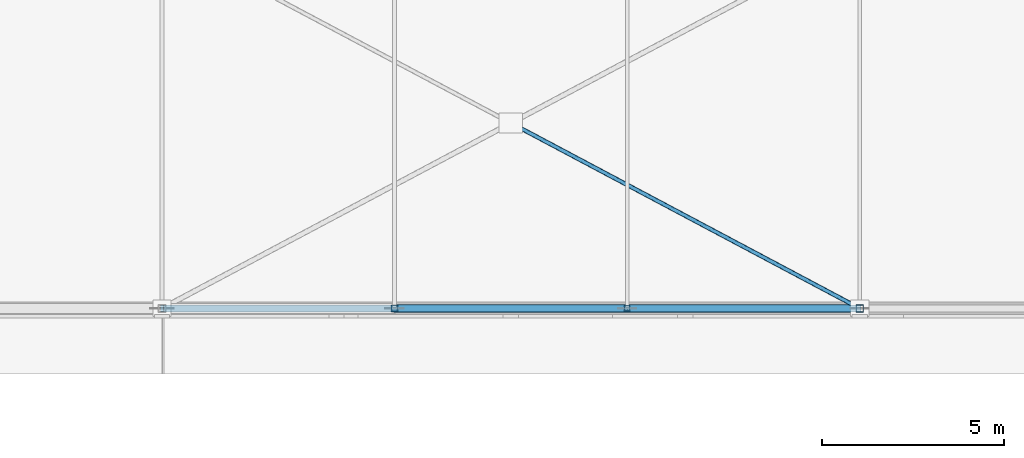
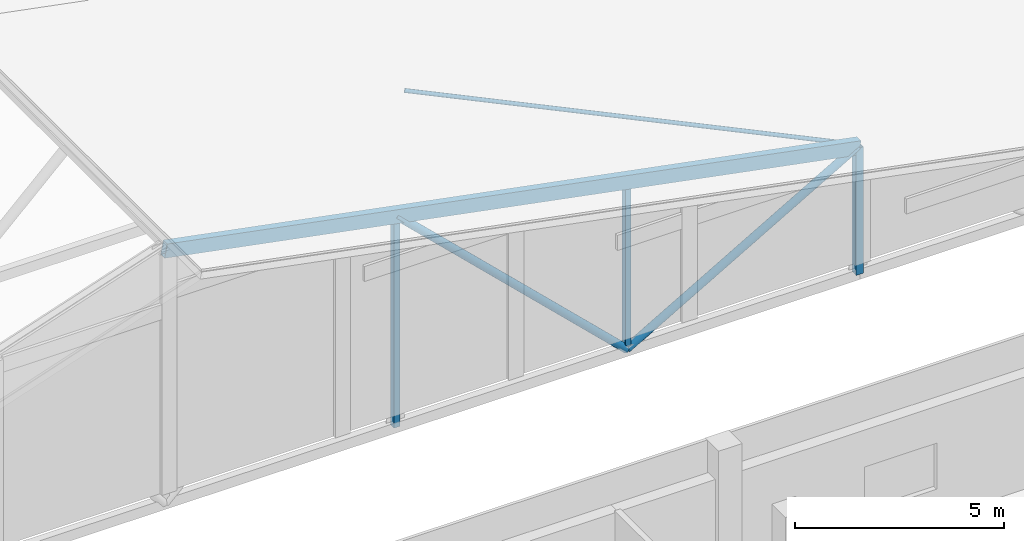
# One storey, part 22 of 200: 7 members.
"""IFC4 building model written with IfcOpenShell, lengths in metres."""

import ifcopenshell
import ifcopenshell.guid

model = None  # the IFC model being written
_history = None  # IfcOwnerHistory: only IFC2X3 demands one
_inside = {}  # id of a spatial element -> (the spatial element, [elements in it])
_under = {}  # id of a project, library or spatial element -> (it, [spatial elements below it])
_declared = {}  # id of a project -> (the project, [libraries it declares])
_typed = {}  # id of a type object -> (the type object, [elements of that type])
_made_of = {}  # id of a material, layer set ... -> (it, [elements and type objects made of it])


def new_model(schema):
    """Start an empty IFC model of exactly this schema.

    Asked for "IFC4X3", IfcOpenShell would pick the latest addendum, in which some entities
    have other attributes; the version numbers below select the first issue.
    IFC2X3 requires an IfcOwnerHistory on every rooted entity: one is made here for all.
    """
    global model, _history
    if schema == "IFC4X3":
        model = ifcopenshell.file(schema_version=(4, 3, 0, 0))
    else:
        model = ifcopenshell.file(schema=schema)
    _inside.clear()
    _under.clear()
    _declared.clear()
    _typed.clear()
    _made_of.clear()
    _history = None
    if model.schema == "IFC2X3":
        org = make("IfcOrganization", Name="unknown")
        user = make(
            "IfcPersonAndOrganization",
            ThePerson=make("IfcPerson", FamilyName="unknown"),
            TheOrganization=org,
        )
        app = make(
            "IfcApplication",
            ApplicationDeveloper=org,
            Version="unknown",
            ApplicationFullName="unknown",
            ApplicationIdentifier="unknown",
        )
        _history = make(
            "IfcOwnerHistory",
            OwningUser=user,
            OwningApplication=app,
            ChangeAction="ADDED",
            CreationDate=0,
        )
    return model


def make(cls, **values):
    """One entity of the class cls with the attributes given. An attribute that is None is left unset."""
    return model.create_entity(
        cls, **{name: value for name, value in values.items() if value is not None}
    )


def rooted(cls, **values):
    """An entity with a GlobalId (a new one), such as an element, a storey or a relation."""
    return make(cls, GlobalId=ifcopenshell.guid.new(), OwnerHistory=_history, **values)


def si_unit(unit_type, name, prefix=None):
    """IfcSIUnit, for example si_unit("LENGTHUNIT", "METRE", prefix="MILLI")."""
    return make("IfcSIUnit", UnitType=unit_type, Prefix=prefix, Name=name)


def assignment(units):
    """IfcUnitAssignment: the units of a project."""
    return None if units is None else make("IfcUnitAssignment", Units=units)


def point(xyz):
    """IfcCartesianPoint."""
    return None if xyz is None else make("IfcCartesianPoint", Coordinates=xyz)


def direction(xyz):
    """IfcDirection."""
    return None if xyz is None else make("IfcDirection", DirectionRatios=xyz)


def frame(location, z_axis=None, x_axis=None):
    """IfcAxis2Placement3D, a coordinate frame: its origin and axes. An axis left out is left unset."""
    return make(
        "IfcAxis2Placement3D",
        Location=point(location),
        Axis=direction(z_axis),
        RefDirection=direction(x_axis),
    )


def frame_2d(location, x_axis=None):
    """IfcAxis2Placement2D, a coordinate frame in the plane: its origin and x axis."""
    return make(
        "IfcAxis2Placement2D", Location=point(location), RefDirection=direction(x_axis)
    )


def origin():
    """The frame at (0, 0, 0) with its axes left unset."""
    return frame((0.0, 0.0, 0.0))


def origin_2d():
    """The frame at (0, 0) in the plane with its x axis left unset."""
    return frame_2d((0.0, 0.0))


def place(relative_to, where):
    """IfcLocalPlacement: puts the frame where relative to a parent placement (None: the world)."""
    return make(
        "IfcLocalPlacement", PlacementRelTo=relative_to, RelativePlacement=where
    )


def context(
    kind, dimensions, precision=None, world=None, true_north=None, identifier=None
):
    """IfcGeometricRepresentationContext, for example the 3D "Model" context."""
    return make(
        "IfcGeometricRepresentationContext",
        ContextIdentifier=identifier,
        ContextType=kind,
        CoordinateSpaceDimension=dimensions,
        Precision=precision,
        WorldCoordinateSystem=world,
        TrueNorth=true_north,
    )


def subcontext(parent, identifier, kind, view, scale=None):
    """IfcGeometricRepresentationSubContext, for example "Body" below "Model"."""
    return make(
        "IfcGeometricRepresentationSubContext",
        ContextIdentifier=identifier,
        ContextType=kind,
        ParentContext=parent,
        TargetScale=scale,
        TargetView=view,
    )


def project(units=None, contexts=None):
    """IfcProject with its units and contexts."""
    return rooted(
        "IfcProject",
        Name="project",
        RepresentationContexts=contexts,
        UnitsInContext=assignment(units),
    )


def spatial(cls, under=None, at=None, **own):
    """A site, building, storey or space (cls), placed at a placement, below another one or the project."""
    s = rooted(cls, ObjectPlacement=at, **own)
    if under is not None:
        _under.setdefault(under.id(), (under, []))[1].append(s)
    return s


def profile(cls, at=None, kind="AREA", **sizes):
    """A parametric profile (cls). Its sizes go by their IFC names, for example OverallWidth=200.0."""
    return make(cls, ProfileType=kind, Position=at, **sizes)


def hollow_rectangle(**sizes):
    """IfcRectangleHollowProfileDef."""
    return profile("IfcRectangleHollowProfileDef", **sizes)


def hollow_circle(**sizes):
    """IfcCircleHollowProfileDef."""
    return profile("IfcCircleHollowProfileDef", **sizes)


def extrude(swept, where, along, depth):
    """IfcExtrudedAreaSolid: the profile swept, set in the frame where, extruded along a direction by depth."""
    return make(
        "IfcExtrudedAreaSolid",
        SweptArea=swept,
        Position=where,
        ExtrudedDirection=direction(along),
        Depth=depth,
    )


def shape(context_of_items, identifier, shape_type, items):
    """IfcShapeRepresentation: the items that make up one representation, for example the "Body"."""
    return make(
        "IfcShapeRepresentation",
        ContextOfItems=context_of_items,
        RepresentationIdentifier=identifier,
        RepresentationType=shape_type,
        Items=items,
    )


def material(Name=None, Category=None):
    """IfcMaterial."""
    return make("IfcMaterial", Name=Name, Category=Category)


def material_profile(
    of_material, cross_section, Name=None, Category=None, Priority=None
):
    """IfcMaterialProfile: a cross section and its material."""
    return make(
        "IfcMaterialProfile",
        Name=Name,
        Material=of_material,
        Profile=cross_section,
        Priority=Priority,
        Category=Category,
    )


def profile_set(profiles, Name=None, composite=None):
    """IfcMaterialProfileSet."""
    return make(
        "IfcMaterialProfileSet",
        Name=Name,
        MaterialProfiles=profiles,
        CompositeProfile=composite,
    )


def made_of(thing, what):
    """Note that an element or type object is made of a material, layer set ...; save() writes the relation."""
    if what is not None:
        _made_of.setdefault(what.id(), (what, []))[1].append(thing)
    return thing


def type_object(cls, material=None, **own):
    """A type object (cls), such as IfcWallType, which elements share."""
    return made_of(rooted(cls, **own), material)


def element(
    cls,
    number,
    at=None,
    inside=None,
    cuts=None,
    type_object=None,
    material=None,
    context=None,
    identifier="Body",
    shape_type=None,
    held_by="IfcProductDefinitionShape",
    body=None,
    shapes=None,
    **own,
):
    """One element of the class cls, such as IfcWall. Its Tag is "e" and its number.

    at: its placement. inside: the storey or other place that contains it. cuts: it is an
    opening in that element (IfcRelVoidsElement). A single representation is given by context,
    identifier, shape_type and body (its items); several are given by shapes. held_by: the class
    of the entity that holds the representations. save() writes the other relations.
    """
    e = rooted(cls, Tag="e%d" % number, ObjectPlacement=at, **own)
    if body is not None:
        shapes = [shape(context, identifier, shape_type, body)]
    if shapes is not None:
        e.Representation = make(held_by, Representations=shapes)
    if inside is not None:
        _inside.setdefault(inside.id(), (inside, []))[1].append(e)
    if cuts is not None:
        rooted(
            "IfcRelVoidsElement", RelatingBuildingElement=cuts, RelatedOpeningElement=e
        )
    if type_object is not None:
        _typed.setdefault(type_object.id(), (type_object, []))[1].append(e)
    return made_of(e, material)


def aggregate(whole, parts):
    """IfcRelAggregates: a whole, such as a stair, and the parts it consists of."""
    return rooted("IfcRelAggregates", RelatingObject=whole, RelatedObjects=parts)


def save(model, path):
    """Write the relations noted so far, then the file.

    IfcRelAggregates (storeys below a building ...), IfcRelContainedInSpatialStructure (elements
    in a storey), IfcRelDefinesByType, IfcRelAssociatesMaterial and IfcRelDeclares: one each for
    every whole, place, type object, material and project.
    """
    for whole, parts in _under.values():
        aggregate(whole, parts)
    for where, things in _inside.values():
        rooted(
            "IfcRelContainedInSpatialStructure",
            RelatedElements=things,
            RelatingStructure=where,
        )
    for kind, things in _typed.values():
        rooted("IfcRelDefinesByType", RelatedObjects=things, RelatingType=kind)
    for what, things in _made_of.values():
        rooted("IfcRelAssociatesMaterial", RelatedObjects=things, RelatingMaterial=what)
    for by, libraries in _declared.values():
        rooted("IfcRelDeclares", RelatingContext=by, RelatedDefinitions=libraries)
    model.write(path)


model = new_model("IFC4")

# Units and contexts
model_context = context("Model", 3, precision=1e-05, world=origin(), true_north=direction((0.0, 1.0)))
body_context = subcontext(model_context, "Body", "Model", "MODEL_VIEW")
ifc_project = project(units=[si_unit("LENGTHUNIT", "METRE"), si_unit("AREAUNIT", "SQUARE_METRE"), si_unit("VOLUMEUNIT", "CUBIC_METRE"), si_unit("PLANEANGLEUNIT", "RADIAN"), si_unit("MASSUNIT", "GRAM", prefix="KILO")], contexts=[model_context])

# Site, building, storey
site_placement = place(None, origin())
site = spatial("IfcSite", under=ifc_project, at=site_placement, CompositionType="ELEMENT")
building_placement = place(site_placement, origin())
building = spatial("IfcBuilding", under=site, at=building_placement, Name="Vondelvale Polytechnic", CompositionType="ELEMENT")
storey_placement = place(building_placement, frame((0.0, 0.0, 13.800048828125)))
storey = spatial("IfcBuildingStorey", under=building, at=storey_placement, Name="L03", CompositionType="ELEMENT", Elevation=13.800048828125)

# Members
ifc_material = material(Name="Steel C350L0 (fy = 350 MPa)", Category="steel")
ifc_material_profile_1 = material_profile(ifc_material, hollow_circle(Radius=0.05712890625, WallThickness=0.0048828125, at=origin_2d()), Name="114.3x4.8CHS")
ifc_profile_set_1 = profile_set([ifc_material_profile_1], Name="Steel C350L0 (fy = 350 MPa)")
member_type_1 = type_object("IfcMemberType", Name="ROOF BRACE 114CHS", PredefinedType="BRACE", material=ifc_profile_set_1)
member_1_placement = place(storey_placement, frame((28.800048828125, 51.0, 3.320068359375), z_axis=(-0.870598866697, 0.462509799229, 0.167756665809), x_axis=(-0.469158510068, -0.883113974768, 0.0)))
element("IfcMember", 1, at=member_1_placement, inside=storey, type_object=member_type_1, Name="Workshop split roof wind brace 1B1", PredefinedType="BRACE", context=body_context, shape_type="SweptSolid", body=[
    extrude(hollow_circle(Radius=0.05712890625, WallThickness=0.0048828125, at=origin_2d()), origin(), (0.0, 0.0, 1.0), 11.027099609375),
])
ifc_material_profile_2 = material_profile(ifc_material, hollow_circle(Radius=0.109619140625, WallThickness=0.00830078125, at=origin_2d()), Name="219.1x8.2CHS")
ifc_profile_set_2 = profile_set([ifc_material_profile_2], Name="Steel C350L0 (fy = 350 MPa)")
member_type_2 = type_object("IfcMemberType", Name="ROOF TRUSS BRACE 219CHS", PredefinedType="BRACE", material=ifc_profile_set_2)
member_2_placement = place(storey_placement, frame((16.0, 51.0, 5.74658203125), z_axis=(0.720102098263, 0.0, -0.69386812009), x_axis=(0.0, 1.0, 0.0)))
element("IfcMember", 2, at=member_2_placement, inside=storey, type_object=member_type_2, Name="ROOF TRUSS TR-01 web diagonal 4", PredefinedType="BRACE", context=body_context, shape_type="SweptSolid", body=[
    extrude(hollow_circle(Radius=0.109619140625, WallThickness=0.00830078125, at=origin_2d()), origin(), (0.0, 0.0, 1.0), 8.887451171875),
])
member_3_placement = place(storey_placement, frame((22.39990234375, 51.0, -0.420166015625), z_axis=(0.865728347066, 0.0, 0.50051416472), x_axis=(0.0, 1.0, 0.0)))
element("IfcMember", 3, at=member_3_placement, inside=storey, type_object=member_type_2, Name="ROOF TRUSS TR-01 web diagonal 5", PredefinedType="BRACE", context=body_context, shape_type="SweptSolid", body=[
    extrude(hollow_circle(Radius=0.109619140625, WallThickness=0.00830078125, at=origin_2d()), origin(), (0.0, 0.0, 1.0), 7.392822265625),
])
ifc_material_profile_3 = material_profile(ifc_material, hollow_rectangle(XDim=0.14990234375, YDim=0.14990234375, WallThickness=0.006103515625, at=origin_2d()), Name="150x150x6.0SHS")
ifc_profile_set_3 = profile_set([ifc_material_profile_3], Name="Steel C350L0 (fy = 350 MPa)")
member_type_3 = type_object("IfcMemberType", Name="ROOF TRUSS POST 150SHS", PredefinedType="POST", material=ifc_profile_set_3)
member_4_placement = place(storey_placement, frame((22.39990234375, 51.0, -0.420166015625), z_axis=(0.0, 0.0, 1.0), x_axis=(1.0, 0.0, 0.0)))
element("IfcMember", 4, at=member_4_placement, inside=storey, type_object=member_type_3, Name="ROOF TRUSS TR-01 vertical post 4", PredefinedType="POST", context=body_context, shape_type="SweptSolid", body=[
    extrude(hollow_rectangle(XDim=0.14990234375, YDim=0.14990234375, WallThickness=0.006103515625, at=origin_2d()), origin(), (0.0, 0.0, 1.0), 4.933349609375),
])
ifc_material_profile_4 = material_profile(ifc_material, hollow_rectangle(XDim=0.175048828125, YDim=0.175048828125, WallThickness=0.006103515625, at=origin_2d()), Name="175x175x6.0SHS")
ifc_profile_set_4 = profile_set([ifc_material_profile_4], Name="Steel C350L0 (fy = 350 MPa)")
member_type_4 = type_object("IfcMemberType", Name="ROOF TRUSS POST 175SHS", PredefinedType="POST", material=ifc_profile_set_4)
member_5_placement = place(storey_placement, frame((16.0, 51.0, -0.420166015625), z_axis=(0.0, 0.0, 1.0), x_axis=(1.0, 0.0, 0.0)))
element("IfcMember", 5, at=member_5_placement, inside=storey, type_object=member_type_4, Name="ROOF TRUSS TR-01 vertical post 3", PredefinedType="POST", context=body_context, shape_type="SweptSolid", body=[
    extrude(hollow_rectangle(XDim=0.175048828125, YDim=0.175048828125, WallThickness=0.006103515625, at=origin_2d()), origin(), (0.0, 0.0, 1.0), 6.166748046875),
])
ifc_material_profile_5 = material_profile(ifc_material, hollow_rectangle(XDim=0.199951171875, YDim=0.199951171875, WallThickness=0.009033203125, at=origin_2d()), Name="200x200x9.0SHS")
ifc_profile_set_5 = profile_set([ifc_material_profile_5], Name="Steel C350L0 (fy = 350 MPa)")
member_type_5 = type_object("IfcMemberType", Name="ROOF TRUSS POST 200SHS", PredefinedType="POST", material=ifc_profile_set_5)
member_6_placement = place(storey_placement, frame((28.800048828125, 51.0, -0.420166015625), z_axis=(0.0, 0.0, 1.0), x_axis=(1.0, 0.0, 0.0)))
element("IfcMember", 6, at=member_6_placement, inside=storey, type_object=member_type_5, Name="ROOF TRUSS TR-01 vertical post 5", PredefinedType="POST", context=body_context, shape_type="SweptSolid", body=[
    extrude(hollow_rectangle(XDim=0.199951171875, YDim=0.199951171875, WallThickness=0.009033203125, at=origin_2d()), origin(), (0.0, 0.0, 1.0), 3.7001953125),
])
ifc_material_profile_6 = material_profile(ifc_material, hollow_rectangle(XDim=0.199951171875, YDim=0.39990234375, WallThickness=0.010009765625, at=origin_2d()), Name="400x200x10.0RHS")
ifc_profile_set_6 = profile_set([ifc_material_profile_6], Name="Steel C350L0 (fy = 350 MPa)")
member_type_6 = type_object("IfcMemberType", Name="ROOF TRUSS TOP CHORD 400RHS", PredefinedType="CHORD", material=ifc_profile_set_6)
member_7_placement = place(storey_placement, frame((9.60009765625, 51.0, 6.97998046875), z_axis=(0.981933791982, 0.0, -0.189224808533), x_axis=(0.0, 1.0, 0.0)))
element("IfcMember", 7, at=member_7_placement, inside=storey, type_object=member_type_6, Name="ROOF TRUSS TR-01 top chord 3", PredefinedType="CHORD", context=body_context, shape_type="SweptSolid", body=[
    extrude(hollow_rectangle(XDim=0.199951171875, YDim=0.39990234375, WallThickness=0.010009765625, at=origin_2d()), origin(), (0.0, 0.0, 1.0), 19.55322265625),
])

save(model, "model.ifc")
